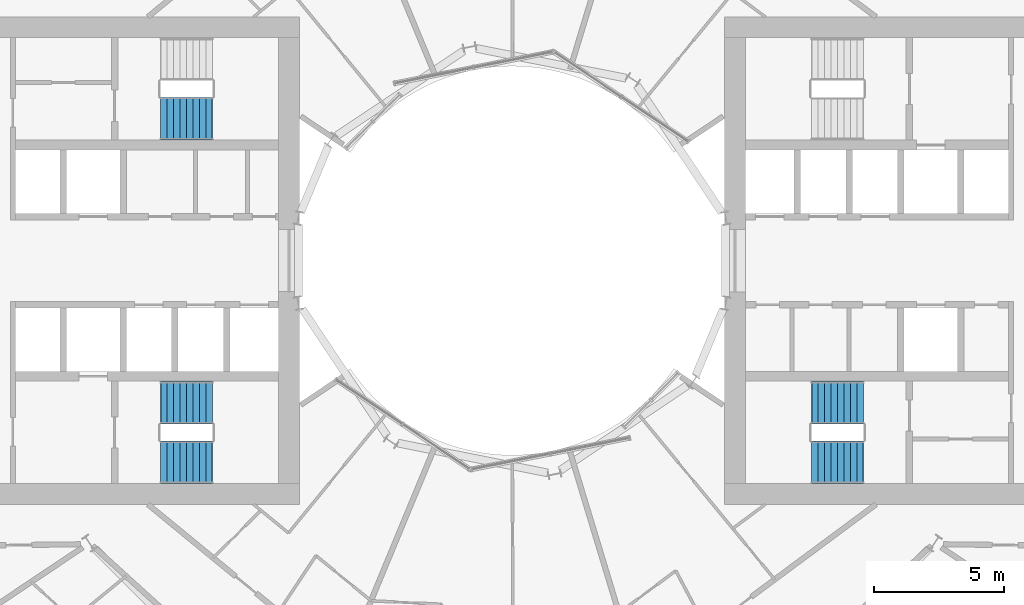
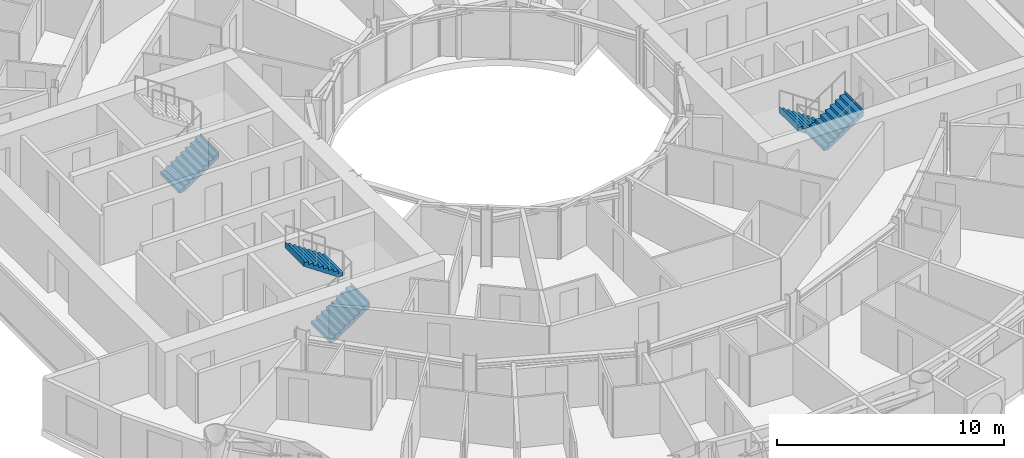
# One storey, part 23 of 25: 5 stair flights, 3 elements without a shape of their own.
"""IFC4 building model written with IfcOpenShell, lengths in metres."""

from ifc_helpers import new_model, si_unit, direction, frame, origin, place, context, subcontext, project, spatial, triangles, material, type_object, element, aggregate, save


model = new_model("IFC4")

# Units and contexts
model_context = context("Model", 3, precision=1e-05, world=origin(), true_north=direction((0.0, 1.0)))
body_context = subcontext(model_context, "Body", "Model", "MODEL_VIEW")
ifc_project = project(units=[si_unit("LENGTHUNIT", "METRE"), si_unit("AREAUNIT", "SQUARE_METRE"), si_unit("VOLUMEUNIT", "CUBIC_METRE"), si_unit("PLANEANGLEUNIT", "RADIAN"), si_unit("MASSUNIT", "GRAM", prefix="KILO")], contexts=[model_context])

# Site, building, storey
site_placement = place(None, origin())
site = spatial("IfcSite", under=ifc_project, at=site_placement, CompositionType="ELEMENT")
building_placement = place(site_placement, origin())
building = spatial("IfcBuilding", under=site, at=building_placement, Name="Maasbend Ring Residences", CompositionType="ELEMENT")
storey_placement = place(building_placement, frame((0.0, 0.0, 41.10009765625)))
storey = spatial("IfcBuildingStorey", under=building, at=storey_placement, Name="L11", CompositionType="ELEMENT", Elevation=41.10009765625)

# Stair, stair flights
ifc_material_1 = material(Name="Concrete C40/50", Category="concrete")
stair_type = type_object("IfcStairType", Name="CORE STAIR 18 RISERS", PredefinedType="HALF_TURN_STAIR", material=ifc_material_1)
stair_1_placement = place(storey_placement, origin())
stair_1 = element("IfcStair", 1, at=stair_1_placement, inside=storey, type_object=stair_type, Name="L11 Exit stair ST-E2", PredefinedType="HALF_TURN_STAIR")
ifc_material_2 = material(Name="Concrete C40/50", Category="concrete")
stair_flight_type = type_object("IfcStairFlightType", Name="CORE STAIR FLIGHT 1650", PredefinedType="STRAIGHT", material=ifc_material_2)
stair_flight_1_placement = place(storey_placement, frame((13.550048828125, -5.47509765625, 0.0), z_axis=(0.0, 0.0, 1.0), x_axis=(-1.0, 0.0, 0.0)))
stair_flight_1 = element("IfcStairFlight", 2, at=stair_flight_1_placement, type_object=stair_flight_type, Name="ST-E2 flight 1", NumberOfRisers=9, NumberOfTreads=8, PredefinedType="STRAIGHT", RiserHeight=0.169444444, TreadLength=0.25, context=body_context, shape_type="Tessellation", body=[
    triangles([(0.24072265625, 0.824951171875, -0.02001953125), (2.0029296875, 0.824951171875, 1.174560546875), (2.0029296875, 0.824951171875, 1.52490234375), (1.989990234375, 0.824951171875, 1.35546875), (1.75, 0.824951171875, 1.35546875), (1.75, 0.824951171875, 1.18603515625), (1.5, 0.824951171875, 1.18603515625), (1.5, 0.824951171875, 1.0166015625), (1.25, 0.824951171875, 1.0166015625), (1.25, 0.824951171875, 0.84716796875), (1.0, 0.824951171875, 0.84716796875), (1.0, 0.824951171875, 0.677734375), (0.75, 0.824951171875, 0.677734375), (0.75, 0.824951171875, 0.50830078125), (0.5, 0.824951171875, 0.50830078125), (0.5, 0.824951171875, 0.3388671875), (0.25, 0.824951171875, 0.3388671875), (0.25, 0.824951171875, 0.16943359375), (0.0, 0.824951171875, 0.16943359375), (0.0, 0.824951171875, 0.0), (-0.0029296875, 0.824951171875, 0.0), (-0.0029296875, 0.824951171875, -0.02001953125), (0.24072265625, 0.27490234375, -0.02001953125), (2.0029296875, 0.27490234375, 1.174560546875), (2.0029296875, 0.27490234375, 1.52490234375), (1.989990234375, 0.27490234375, 1.35546875), (1.75, 0.27490234375, 1.35546875), (1.75, 0.27490234375, 1.18603515625), (1.5, 0.27490234375, 1.18603515625), (1.5, 0.27490234375, 1.0166015625), (1.25, 0.27490234375, 1.0166015625), (1.25, 0.27490234375, 0.84716796875), (1.0, 0.27490234375, 0.84716796875), (1.0, 0.27490234375, 0.677734375), (0.75, 0.27490234375, 0.677734375), (0.75, 0.27490234375, 0.50830078125), (0.5, 0.27490234375, 0.50830078125), (0.5, 0.27490234375, 0.3388671875), (0.25, 0.27490234375, 0.3388671875), (0.25, 0.27490234375, 0.16943359375), (0.0, 0.27490234375, 0.16943359375), (0.0, 0.27490234375, 0.0), (-0.0029296875, 0.27490234375, 0.0), (-0.0029296875, 0.27490234375, -0.02001953125), (0.24072265625, -0.27490234375, -0.02001953125), (2.0029296875, -0.27490234375, 1.174560546875), (2.0029296875, -0.27490234375, 1.52490234375), (1.989990234375, -0.27490234375, 1.35546875), (1.75, -0.27490234375, 1.35546875), (1.75, -0.27490234375, 1.18603515625), (1.5, -0.27490234375, 1.18603515625), (1.5, -0.27490234375, 1.0166015625), (1.25, -0.27490234375, 1.0166015625), (1.25, -0.27490234375, 0.84716796875), (1.0, -0.27490234375, 0.84716796875), (1.0, -0.27490234375, 0.677734375), (0.75, -0.27490234375, 0.677734375), (0.75, -0.27490234375, 0.50830078125), (0.5, -0.27490234375, 0.50830078125), (0.5, -0.27490234375, 0.3388671875), (0.25, -0.27490234375, 0.3388671875), (0.25, -0.27490234375, 0.16943359375), (0.0, -0.27490234375, 0.16943359375), (0.0, -0.27490234375, 0.0), (-0.0029296875, -0.27490234375, 0.0), (-0.0029296875, -0.27490234375, -0.02001953125), (0.24072265625, -0.824951171875, -0.02001953125), (2.0029296875, -0.824951171875, 1.174560546875), (2.0029296875, -0.824951171875, 1.52490234375), (1.989990234375, -0.824951171875, 1.35546875), (1.75, -0.824951171875, 1.35546875), (1.75, -0.824951171875, 1.18603515625), (1.5, -0.824951171875, 1.18603515625), (1.5, -0.824951171875, 1.0166015625), (1.25, -0.824951171875, 1.0166015625), (1.25, -0.824951171875, 0.84716796875), (1.0, -0.824951171875, 0.84716796875), (1.0, -0.824951171875, 0.677734375), (0.75, -0.824951171875, 0.677734375), (0.75, -0.824951171875, 0.50830078125), (0.5, -0.824951171875, 0.50830078125), (0.5, -0.824951171875, 0.3388671875), (0.25, -0.824951171875, 0.3388671875), (0.25, -0.824951171875, 0.16943359375), (0.0, -0.824951171875, 0.16943359375), (0.0, -0.824951171875, 0.0), (-0.0029296875, -0.824951171875, 0.0), (-0.0029296875, -0.824951171875, -0.02001953125)], [[1, 2, 24], [1, 24, 23], [23, 24, 46], [23, 46, 45], [45, 46, 68], [45, 68, 67], [2, 3, 25], [2, 25, 24], [24, 25, 47], [24, 47, 46], [46, 47, 69], [46, 69, 68], [3, 4, 26], [3, 26, 25], [25, 26, 48], [25, 48, 47], [47, 48, 70], [47, 70, 69], [4, 5, 27], [4, 27, 26], [26, 27, 49], [26, 49, 48], [48, 49, 71], [48, 71, 70], [5, 6, 28], [5, 28, 27], [27, 28, 50], [27, 50, 49], [49, 50, 72], [49, 72, 71], [6, 7, 29], [6, 29, 28], [28, 29, 51], [28, 51, 50], [50, 51, 73], [50, 73, 72], [7, 8, 30], [7, 30, 29], [29, 30, 52], [29, 52, 51], [51, 52, 74], [51, 74, 73], [8, 9, 31], [8, 31, 30], [30, 31, 53], [30, 53, 52], [52, 53, 75], [52, 75, 74], [9, 10, 32], [9, 32, 31], [31, 32, 54], [31, 54, 53], [53, 54, 76], [53, 76, 75], [10, 11, 33], [10, 33, 32], [32, 33, 55], [32, 55, 54], [54, 55, 77], [54, 77, 76], [11, 12, 34], [11, 34, 33], [33, 34, 56], [33, 56, 55], [55, 56, 78], [55, 78, 77], [12, 13, 35], [12, 35, 34], [34, 35, 57], [34, 57, 56], [56, 57, 79], [56, 79, 78], [13, 14, 36], [13, 36, 35], [35, 36, 58], [35, 58, 57], [57, 58, 80], [57, 80, 79], [14, 15, 37], [14, 37, 36], [36, 37, 59], [36, 59, 58], [58, 59, 81], [58, 81, 80], [15, 16, 38], [15, 38, 37], [37, 38, 60], [37, 60, 59], [59, 60, 82], [59, 82, 81], [16, 17, 39], [16, 39, 38], [38, 39, 61], [38, 61, 60], [60, 61, 83], [60, 83, 82], [17, 18, 40], [17, 40, 39], [39, 40, 62], [39, 62, 61], [61, 62, 84], [61, 84, 83], [18, 19, 41], [18, 41, 40], [40, 41, 63], [40, 63, 62], [62, 63, 85], [62, 85, 84], [19, 20, 42], [19, 42, 41], [41, 42, 64], [41, 64, 63], [63, 64, 86], [63, 86, 85], [20, 21, 43], [20, 43, 42], [42, 43, 65], [42, 65, 64], [64, 65, 87], [64, 87, 86], [21, 22, 44], [21, 44, 43], [43, 44, 66], [43, 66, 65], [65, 66, 88], [65, 88, 87], [22, 1, 23], [22, 23, 44], [44, 23, 45], [44, 45, 66], [66, 45, 67], [66, 67, 88], [22, 2, 1], [2, 4, 3], [2, 5, 4], [2, 6, 5], [22, 6, 2], [6, 8, 7], [22, 8, 6], [8, 10, 9], [22, 10, 8], [10, 12, 11], [22, 12, 10], [12, 14, 13], [22, 14, 12], [14, 16, 15], [22, 16, 14], [16, 18, 17], [22, 18, 16], [18, 20, 19], [22, 20, 18], [20, 22, 21], [88, 67, 68], [68, 69, 70], [68, 70, 71], [68, 71, 72], [88, 68, 72], [72, 73, 74], [88, 72, 74], [74, 75, 76], [88, 74, 76], [76, 77, 78], [88, 76, 78], [78, 79, 80], [88, 78, 80], [80, 81, 82], [88, 80, 82], [82, 83, 84], [88, 82, 84], [84, 85, 86], [88, 84, 86], [86, 87, 88]], closed=True),
])
stair_flight_2_placement = place(storey_placement, frame((11.550048828125, -7.77490234375, 1.52490234375), z_axis=(0.0, 0.0, 1.0), x_axis=(1.0, 0.0, 0.0)))
stair_flight_2 = element("IfcStairFlight", 3, at=stair_flight_2_placement, type_object=stair_flight_type, Name="ST-E2 flight 2", NumberOfRisers=9, NumberOfTreads=8, PredefinedType="STRAIGHT", RiserHeight=0.169444444, TreadLength=0.25, context=body_context, shape_type="Tessellation", body=[
    triangles([(0.24072265625, 0.824951171875, -0.02001953125), (2.0029296875, 0.824951171875, 1.174560546875), (2.0029296875, 0.824951171875, 1.52490234375), (1.989990234375, 0.824951171875, 1.35546875), (1.75, 0.824951171875, 1.35546875), (1.75, 0.824951171875, 1.18603515625), (1.5, 0.824951171875, 1.18603515625), (1.5, 0.824951171875, 1.0166015625), (1.25, 0.824951171875, 1.0166015625), (1.25, 0.824951171875, 0.84716796875), (1.0, 0.824951171875, 0.84716796875), (1.0, 0.824951171875, 0.677734375), (0.75, 0.824951171875, 0.677734375), (0.75, 0.824951171875, 0.50830078125), (0.5, 0.824951171875, 0.50830078125), (0.5, 0.824951171875, 0.3388671875), (0.25, 0.824951171875, 0.3388671875), (0.25, 0.824951171875, 0.16943359375), (0.0, 0.824951171875, 0.16943359375), (0.0, 0.824951171875, 0.0), (-0.0029296875, 0.824951171875, 0.0), (-0.0029296875, 0.824951171875, -0.02001953125), (0.24072265625, 0.27490234375, -0.02001953125), (2.0029296875, 0.27490234375, 1.174560546875), (2.0029296875, 0.27490234375, 1.52490234375), (1.989990234375, 0.27490234375, 1.35546875), (1.75, 0.27490234375, 1.35546875), (1.75, 0.27490234375, 1.18603515625), (1.5, 0.27490234375, 1.18603515625), (1.5, 0.27490234375, 1.0166015625), (1.25, 0.27490234375, 1.0166015625), (1.25, 0.27490234375, 0.84716796875), (1.0, 0.27490234375, 0.84716796875), (1.0, 0.27490234375, 0.677734375), (0.75, 0.27490234375, 0.677734375), (0.75, 0.27490234375, 0.50830078125), (0.5, 0.27490234375, 0.50830078125), (0.5, 0.27490234375, 0.3388671875), (0.25, 0.27490234375, 0.3388671875), (0.25, 0.27490234375, 0.16943359375), (0.0, 0.27490234375, 0.16943359375), (0.0, 0.27490234375, 0.0), (-0.0029296875, 0.27490234375, 0.0), (-0.0029296875, 0.27490234375, -0.02001953125), (0.24072265625, -0.27490234375, -0.02001953125), (2.0029296875, -0.27490234375, 1.174560546875), (2.0029296875, -0.27490234375, 1.52490234375), (1.989990234375, -0.27490234375, 1.35546875), (1.75, -0.27490234375, 1.35546875), (1.75, -0.27490234375, 1.18603515625), (1.5, -0.27490234375, 1.18603515625), (1.5, -0.27490234375, 1.0166015625), (1.25, -0.27490234375, 1.0166015625), (1.25, -0.27490234375, 0.84716796875), (1.0, -0.27490234375, 0.84716796875), (1.0, -0.27490234375, 0.677734375), (0.75, -0.27490234375, 0.677734375), (0.75, -0.27490234375, 0.50830078125), (0.5, -0.27490234375, 0.50830078125), (0.5, -0.27490234375, 0.3388671875), (0.25, -0.27490234375, 0.3388671875), (0.25, -0.27490234375, 0.16943359375), (0.0, -0.27490234375, 0.16943359375), (0.0, -0.27490234375, 0.0), (-0.0029296875, -0.27490234375, 0.0), (-0.0029296875, -0.27490234375, -0.02001953125), (0.24072265625, -0.824951171875, -0.02001953125), (2.0029296875, -0.824951171875, 1.174560546875), (2.0029296875, -0.824951171875, 1.52490234375), (1.989990234375, -0.824951171875, 1.35546875), (1.75, -0.824951171875, 1.35546875), (1.75, -0.824951171875, 1.18603515625), (1.5, -0.824951171875, 1.18603515625), (1.5, -0.824951171875, 1.0166015625), (1.25, -0.824951171875, 1.0166015625), (1.25, -0.824951171875, 0.84716796875), (1.0, -0.824951171875, 0.84716796875), (1.0, -0.824951171875, 0.677734375), (0.75, -0.824951171875, 0.677734375), (0.75, -0.824951171875, 0.50830078125), (0.5, -0.824951171875, 0.50830078125), (0.5, -0.824951171875, 0.3388671875), (0.25, -0.824951171875, 0.3388671875), (0.25, -0.824951171875, 0.16943359375), (0.0, -0.824951171875, 0.16943359375), (0.0, -0.824951171875, 0.0), (-0.0029296875, -0.824951171875, 0.0), (-0.0029296875, -0.824951171875, -0.02001953125)], [[1, 2, 24], [1, 24, 23], [23, 24, 46], [23, 46, 45], [45, 46, 68], [45, 68, 67], [2, 3, 25], [2, 25, 24], [24, 25, 47], [24, 47, 46], [46, 47, 69], [46, 69, 68], [3, 4, 26], [3, 26, 25], [25, 26, 48], [25, 48, 47], [47, 48, 70], [47, 70, 69], [4, 5, 27], [4, 27, 26], [26, 27, 49], [26, 49, 48], [48, 49, 71], [48, 71, 70], [5, 6, 28], [5, 28, 27], [27, 28, 50], [27, 50, 49], [49, 50, 72], [49, 72, 71], [6, 7, 29], [6, 29, 28], [28, 29, 51], [28, 51, 50], [50, 51, 73], [50, 73, 72], [7, 8, 30], [7, 30, 29], [29, 30, 52], [29, 52, 51], [51, 52, 74], [51, 74, 73], [8, 9, 31], [8, 31, 30], [30, 31, 53], [30, 53, 52], [52, 53, 75], [52, 75, 74], [9, 10, 32], [9, 32, 31], [31, 32, 54], [31, 54, 53], [53, 54, 76], [53, 76, 75], [10, 11, 33], [10, 33, 32], [32, 33, 55], [32, 55, 54], [54, 55, 77], [54, 77, 76], [11, 12, 34], [11, 34, 33], [33, 34, 56], [33, 56, 55], [55, 56, 78], [55, 78, 77], [12, 13, 35], [12, 35, 34], [34, 35, 57], [34, 57, 56], [56, 57, 79], [56, 79, 78], [13, 14, 36], [13, 36, 35], [35, 36, 58], [35, 58, 57], [57, 58, 80], [57, 80, 79], [14, 15, 37], [14, 37, 36], [36, 37, 59], [36, 59, 58], [58, 59, 81], [58, 81, 80], [15, 16, 38], [15, 38, 37], [37, 38, 60], [37, 60, 59], [59, 60, 82], [59, 82, 81], [16, 17, 39], [16, 39, 38], [38, 39, 61], [38, 61, 60], [60, 61, 83], [60, 83, 82], [17, 18, 40], [17, 40, 39], [39, 40, 62], [39, 62, 61], [61, 62, 84], [61, 84, 83], [18, 19, 41], [18, 41, 40], [40, 41, 63], [40, 63, 62], [62, 63, 85], [62, 85, 84], [19, 20, 42], [19, 42, 41], [41, 42, 64], [41, 64, 63], [63, 64, 86], [63, 86, 85], [20, 21, 43], [20, 43, 42], [42, 43, 65], [42, 65, 64], [64, 65, 87], [64, 87, 86], [21, 22, 44], [21, 44, 43], [43, 44, 66], [43, 66, 65], [65, 66, 88], [65, 88, 87], [22, 1, 23], [22, 23, 44], [44, 23, 45], [44, 45, 66], [66, 45, 67], [66, 67, 88], [22, 2, 1], [2, 4, 3], [2, 5, 4], [2, 6, 5], [22, 6, 2], [6, 8, 7], [22, 8, 6], [8, 10, 9], [22, 10, 8], [10, 12, 11], [22, 12, 10], [12, 14, 13], [22, 14, 12], [14, 16, 15], [22, 16, 14], [16, 18, 17], [22, 18, 16], [18, 20, 19], [22, 20, 18], [20, 22, 21], [88, 67, 68], [68, 69, 70], [68, 70, 71], [68, 71, 72], [88, 68, 72], [72, 73, 74], [88, 72, 74], [74, 75, 76], [88, 74, 76], [76, 77, 78], [88, 76, 78], [78, 79, 80], [88, 78, 80], [80, 81, 82], [88, 80, 82], [82, 83, 84], [88, 82, 84], [84, 85, 86], [88, 84, 86], [86, 87, 88]], closed=True),
])
aggregate(stair_1, [stair_flight_1, stair_flight_2])

stair_2_placement = place(storey_placement, origin())
stair_2 = element("IfcStair", 4, at=stair_2_placement, inside=storey, type_object=stair_type, Name="L11 Exit stair ST-W1", PredefinedType="HALF_TURN_STAIR")
stair_flight_3_placement = place(storey_placement, frame((-13.550048828125, -7.77490234375, 0.0), z_axis=(0.0, 0.0, 1.0), x_axis=(1.0, 0.0, 0.0)))
stair_flight_3 = element("IfcStairFlight", 5, at=stair_flight_3_placement, type_object=stair_flight_type, Name="ST-W1 flight 1", NumberOfRisers=9, NumberOfTreads=8, PredefinedType="STRAIGHT", RiserHeight=0.169444444, TreadLength=0.25, context=body_context, shape_type="Tessellation", body=[
    triangles([(0.24072265625, 0.824951171875, -0.02001953125), (2.0029296875, 0.824951171875, 1.174560546875), (2.0029296875, 0.824951171875, 1.52490234375), (1.989990234375, 0.824951171875, 1.35546875), (1.75, 0.824951171875, 1.35546875), (1.75, 0.824951171875, 1.18603515625), (1.5, 0.824951171875, 1.18603515625), (1.5, 0.824951171875, 1.0166015625), (1.25, 0.824951171875, 1.0166015625), (1.25, 0.824951171875, 0.84716796875), (1.0, 0.824951171875, 0.84716796875), (1.0, 0.824951171875, 0.677734375), (0.75, 0.824951171875, 0.677734375), (0.75, 0.824951171875, 0.50830078125), (0.5, 0.824951171875, 0.50830078125), (0.5, 0.824951171875, 0.3388671875), (0.25, 0.824951171875, 0.3388671875), (0.25, 0.824951171875, 0.16943359375), (0.0, 0.824951171875, 0.16943359375), (0.0, 0.824951171875, 0.0), (-0.0029296875, 0.824951171875, 0.0), (-0.0029296875, 0.824951171875, -0.02001953125), (0.24072265625, 0.27490234375, -0.02001953125), (2.0029296875, 0.27490234375, 1.174560546875), (2.0029296875, 0.27490234375, 1.52490234375), (1.989990234375, 0.27490234375, 1.35546875), (1.75, 0.27490234375, 1.35546875), (1.75, 0.27490234375, 1.18603515625), (1.5, 0.27490234375, 1.18603515625), (1.5, 0.27490234375, 1.0166015625), (1.25, 0.27490234375, 1.0166015625), (1.25, 0.27490234375, 0.84716796875), (1.0, 0.27490234375, 0.84716796875), (1.0, 0.27490234375, 0.677734375), (0.75, 0.27490234375, 0.677734375), (0.75, 0.27490234375, 0.50830078125), (0.5, 0.27490234375, 0.50830078125), (0.5, 0.27490234375, 0.3388671875), (0.25, 0.27490234375, 0.3388671875), (0.25, 0.27490234375, 0.16943359375), (0.0, 0.27490234375, 0.16943359375), (0.0, 0.27490234375, 0.0), (-0.0029296875, 0.27490234375, 0.0), (-0.0029296875, 0.27490234375, -0.02001953125), (0.24072265625, -0.27490234375, -0.02001953125), (2.0029296875, -0.27490234375, 1.174560546875), (2.0029296875, -0.27490234375, 1.52490234375), (1.989990234375, -0.27490234375, 1.35546875), (1.75, -0.27490234375, 1.35546875), (1.75, -0.27490234375, 1.18603515625), (1.5, -0.27490234375, 1.18603515625), (1.5, -0.27490234375, 1.0166015625), (1.25, -0.27490234375, 1.0166015625), (1.25, -0.27490234375, 0.84716796875), (1.0, -0.27490234375, 0.84716796875), (1.0, -0.27490234375, 0.677734375), (0.75, -0.27490234375, 0.677734375), (0.75, -0.27490234375, 0.50830078125), (0.5, -0.27490234375, 0.50830078125), (0.5, -0.27490234375, 0.3388671875), (0.25, -0.27490234375, 0.3388671875), (0.25, -0.27490234375, 0.16943359375), (0.0, -0.27490234375, 0.16943359375), (0.0, -0.27490234375, 0.0), (-0.0029296875, -0.27490234375, 0.0), (-0.0029296875, -0.27490234375, -0.02001953125), (0.24072265625, -0.824951171875, -0.02001953125), (2.0029296875, -0.824951171875, 1.174560546875), (2.0029296875, -0.824951171875, 1.52490234375), (1.989990234375, -0.824951171875, 1.35546875), (1.75, -0.824951171875, 1.35546875), (1.75, -0.824951171875, 1.18603515625), (1.5, -0.824951171875, 1.18603515625), (1.5, -0.824951171875, 1.0166015625), (1.25, -0.824951171875, 1.0166015625), (1.25, -0.824951171875, 0.84716796875), (1.0, -0.824951171875, 0.84716796875), (1.0, -0.824951171875, 0.677734375), (0.75, -0.824951171875, 0.677734375), (0.75, -0.824951171875, 0.50830078125), (0.5, -0.824951171875, 0.50830078125), (0.5, -0.824951171875, 0.3388671875), (0.25, -0.824951171875, 0.3388671875), (0.25, -0.824951171875, 0.16943359375), (0.0, -0.824951171875, 0.16943359375), (0.0, -0.824951171875, 0.0), (-0.0029296875, -0.824951171875, 0.0), (-0.0029296875, -0.824951171875, -0.02001953125)], [[1, 2, 24], [1, 24, 23], [23, 24, 46], [23, 46, 45], [45, 46, 68], [45, 68, 67], [2, 3, 25], [2, 25, 24], [24, 25, 47], [24, 47, 46], [46, 47, 69], [46, 69, 68], [3, 4, 26], [3, 26, 25], [25, 26, 48], [25, 48, 47], [47, 48, 70], [47, 70, 69], [4, 5, 27], [4, 27, 26], [26, 27, 49], [26, 49, 48], [48, 49, 71], [48, 71, 70], [5, 6, 28], [5, 28, 27], [27, 28, 50], [27, 50, 49], [49, 50, 72], [49, 72, 71], [6, 7, 29], [6, 29, 28], [28, 29, 51], [28, 51, 50], [50, 51, 73], [50, 73, 72], [7, 8, 30], [7, 30, 29], [29, 30, 52], [29, 52, 51], [51, 52, 74], [51, 74, 73], [8, 9, 31], [8, 31, 30], [30, 31, 53], [30, 53, 52], [52, 53, 75], [52, 75, 74], [9, 10, 32], [9, 32, 31], [31, 32, 54], [31, 54, 53], [53, 54, 76], [53, 76, 75], [10, 11, 33], [10, 33, 32], [32, 33, 55], [32, 55, 54], [54, 55, 77], [54, 77, 76], [11, 12, 34], [11, 34, 33], [33, 34, 56], [33, 56, 55], [55, 56, 78], [55, 78, 77], [12, 13, 35], [12, 35, 34], [34, 35, 57], [34, 57, 56], [56, 57, 79], [56, 79, 78], [13, 14, 36], [13, 36, 35], [35, 36, 58], [35, 58, 57], [57, 58, 80], [57, 80, 79], [14, 15, 37], [14, 37, 36], [36, 37, 59], [36, 59, 58], [58, 59, 81], [58, 81, 80], [15, 16, 38], [15, 38, 37], [37, 38, 60], [37, 60, 59], [59, 60, 82], [59, 82, 81], [16, 17, 39], [16, 39, 38], [38, 39, 61], [38, 61, 60], [60, 61, 83], [60, 83, 82], [17, 18, 40], [17, 40, 39], [39, 40, 62], [39, 62, 61], [61, 62, 84], [61, 84, 83], [18, 19, 41], [18, 41, 40], [40, 41, 63], [40, 63, 62], [62, 63, 85], [62, 85, 84], [19, 20, 42], [19, 42, 41], [41, 42, 64], [41, 64, 63], [63, 64, 86], [63, 86, 85], [20, 21, 43], [20, 43, 42], [42, 43, 65], [42, 65, 64], [64, 65, 87], [64, 87, 86], [21, 22, 44], [21, 44, 43], [43, 44, 66], [43, 66, 65], [65, 66, 88], [65, 88, 87], [22, 1, 23], [22, 23, 44], [44, 23, 45], [44, 45, 66], [66, 45, 67], [66, 67, 88], [22, 2, 1], [2, 4, 3], [2, 5, 4], [2, 6, 5], [22, 6, 2], [6, 8, 7], [22, 8, 6], [8, 10, 9], [22, 10, 8], [10, 12, 11], [22, 12, 10], [12, 14, 13], [22, 14, 12], [14, 16, 15], [22, 16, 14], [16, 18, 17], [22, 18, 16], [18, 20, 19], [22, 20, 18], [20, 22, 21], [88, 67, 68], [68, 69, 70], [68, 70, 71], [68, 71, 72], [88, 68, 72], [72, 73, 74], [88, 72, 74], [74, 75, 76], [88, 74, 76], [76, 77, 78], [88, 76, 78], [78, 79, 80], [88, 78, 80], [80, 81, 82], [88, 80, 82], [82, 83, 84], [88, 82, 84], [84, 85, 86], [88, 84, 86], [86, 87, 88]], closed=True),
])
stair_flight_4_placement = place(storey_placement, frame((-11.550048828125, -5.47509765625, 1.52490234375), z_axis=(0.0, 0.0, 1.0), x_axis=(-1.0, 0.0, 0.0)))
stair_flight_4 = element("IfcStairFlight", 6, at=stair_flight_4_placement, type_object=stair_flight_type, Name="ST-W1 flight 2", NumberOfRisers=9, NumberOfTreads=8, PredefinedType="STRAIGHT", RiserHeight=0.169444444, TreadLength=0.25, context=body_context, shape_type="Tessellation", body=[
    triangles([(0.24072265625, 0.824951171875, -0.02001953125), (2.0029296875, 0.824951171875, 1.174560546875), (2.0029296875, 0.824951171875, 1.52490234375), (1.989990234375, 0.824951171875, 1.35546875), (1.75, 0.824951171875, 1.35546875), (1.75, 0.824951171875, 1.18603515625), (1.5, 0.824951171875, 1.18603515625), (1.5, 0.824951171875, 1.0166015625), (1.25, 0.824951171875, 1.0166015625), (1.25, 0.824951171875, 0.84716796875), (1.0, 0.824951171875, 0.84716796875), (1.0, 0.824951171875, 0.677734375), (0.75, 0.824951171875, 0.677734375), (0.75, 0.824951171875, 0.50830078125), (0.5, 0.824951171875, 0.50830078125), (0.5, 0.824951171875, 0.3388671875), (0.25, 0.824951171875, 0.3388671875), (0.25, 0.824951171875, 0.16943359375), (0.0, 0.824951171875, 0.16943359375), (0.0, 0.824951171875, 0.0), (-0.0029296875, 0.824951171875, 0.0), (-0.0029296875, 0.824951171875, -0.02001953125), (0.24072265625, 0.27490234375, -0.02001953125), (2.0029296875, 0.27490234375, 1.174560546875), (2.0029296875, 0.27490234375, 1.52490234375), (1.989990234375, 0.27490234375, 1.35546875), (1.75, 0.27490234375, 1.35546875), (1.75, 0.27490234375, 1.18603515625), (1.5, 0.27490234375, 1.18603515625), (1.5, 0.27490234375, 1.0166015625), (1.25, 0.27490234375, 1.0166015625), (1.25, 0.27490234375, 0.84716796875), (1.0, 0.27490234375, 0.84716796875), (1.0, 0.27490234375, 0.677734375), (0.75, 0.27490234375, 0.677734375), (0.75, 0.27490234375, 0.50830078125), (0.5, 0.27490234375, 0.50830078125), (0.5, 0.27490234375, 0.3388671875), (0.25, 0.27490234375, 0.3388671875), (0.25, 0.27490234375, 0.16943359375), (0.0, 0.27490234375, 0.16943359375), (0.0, 0.27490234375, 0.0), (-0.0029296875, 0.27490234375, 0.0), (-0.0029296875, 0.27490234375, -0.02001953125), (0.24072265625, -0.27490234375, -0.02001953125), (2.0029296875, -0.27490234375, 1.174560546875), (2.0029296875, -0.27490234375, 1.52490234375), (1.989990234375, -0.27490234375, 1.35546875), (1.75, -0.27490234375, 1.35546875), (1.75, -0.27490234375, 1.18603515625), (1.5, -0.27490234375, 1.18603515625), (1.5, -0.27490234375, 1.0166015625), (1.25, -0.27490234375, 1.0166015625), (1.25, -0.27490234375, 0.84716796875), (1.0, -0.27490234375, 0.84716796875), (1.0, -0.27490234375, 0.677734375), (0.75, -0.27490234375, 0.677734375), (0.75, -0.27490234375, 0.50830078125), (0.5, -0.27490234375, 0.50830078125), (0.5, -0.27490234375, 0.3388671875), (0.25, -0.27490234375, 0.3388671875), (0.25, -0.27490234375, 0.16943359375), (0.0, -0.27490234375, 0.16943359375), (0.0, -0.27490234375, 0.0), (-0.0029296875, -0.27490234375, 0.0), (-0.0029296875, -0.27490234375, -0.02001953125), (0.24072265625, -0.824951171875, -0.02001953125), (2.0029296875, -0.824951171875, 1.174560546875), (2.0029296875, -0.824951171875, 1.52490234375), (1.989990234375, -0.824951171875, 1.35546875), (1.75, -0.824951171875, 1.35546875), (1.75, -0.824951171875, 1.18603515625), (1.5, -0.824951171875, 1.18603515625), (1.5, -0.824951171875, 1.0166015625), (1.25, -0.824951171875, 1.0166015625), (1.25, -0.824951171875, 0.84716796875), (1.0, -0.824951171875, 0.84716796875), (1.0, -0.824951171875, 0.677734375), (0.75, -0.824951171875, 0.677734375), (0.75, -0.824951171875, 0.50830078125), (0.5, -0.824951171875, 0.50830078125), (0.5, -0.824951171875, 0.3388671875), (0.25, -0.824951171875, 0.3388671875), (0.25, -0.824951171875, 0.16943359375), (0.0, -0.824951171875, 0.16943359375), (0.0, -0.824951171875, 0.0), (-0.0029296875, -0.824951171875, 0.0), (-0.0029296875, -0.824951171875, -0.02001953125)], [[1, 2, 24], [1, 24, 23], [23, 24, 46], [23, 46, 45], [45, 46, 68], [45, 68, 67], [2, 3, 25], [2, 25, 24], [24, 25, 47], [24, 47, 46], [46, 47, 69], [46, 69, 68], [3, 4, 26], [3, 26, 25], [25, 26, 48], [25, 48, 47], [47, 48, 70], [47, 70, 69], [4, 5, 27], [4, 27, 26], [26, 27, 49], [26, 49, 48], [48, 49, 71], [48, 71, 70], [5, 6, 28], [5, 28, 27], [27, 28, 50], [27, 50, 49], [49, 50, 72], [49, 72, 71], [6, 7, 29], [6, 29, 28], [28, 29, 51], [28, 51, 50], [50, 51, 73], [50, 73, 72], [7, 8, 30], [7, 30, 29], [29, 30, 52], [29, 52, 51], [51, 52, 74], [51, 74, 73], [8, 9, 31], [8, 31, 30], [30, 31, 53], [30, 53, 52], [52, 53, 75], [52, 75, 74], [9, 10, 32], [9, 32, 31], [31, 32, 54], [31, 54, 53], [53, 54, 76], [53, 76, 75], [10, 11, 33], [10, 33, 32], [32, 33, 55], [32, 55, 54], [54, 55, 77], [54, 77, 76], [11, 12, 34], [11, 34, 33], [33, 34, 56], [33, 56, 55], [55, 56, 78], [55, 78, 77], [12, 13, 35], [12, 35, 34], [34, 35, 57], [34, 57, 56], [56, 57, 79], [56, 79, 78], [13, 14, 36], [13, 36, 35], [35, 36, 58], [35, 58, 57], [57, 58, 80], [57, 80, 79], [14, 15, 37], [14, 37, 36], [36, 37, 59], [36, 59, 58], [58, 59, 81], [58, 81, 80], [15, 16, 38], [15, 38, 37], [37, 38, 60], [37, 60, 59], [59, 60, 82], [59, 82, 81], [16, 17, 39], [16, 39, 38], [38, 39, 61], [38, 61, 60], [60, 61, 83], [60, 83, 82], [17, 18, 40], [17, 40, 39], [39, 40, 62], [39, 62, 61], [61, 62, 84], [61, 84, 83], [18, 19, 41], [18, 41, 40], [40, 41, 63], [40, 63, 62], [62, 63, 85], [62, 85, 84], [19, 20, 42], [19, 42, 41], [41, 42, 64], [41, 64, 63], [63, 64, 86], [63, 86, 85], [20, 21, 43], [20, 43, 42], [42, 43, 65], [42, 65, 64], [64, 65, 87], [64, 87, 86], [21, 22, 44], [21, 44, 43], [43, 44, 66], [43, 66, 65], [65, 66, 88], [65, 88, 87], [22, 1, 23], [22, 23, 44], [44, 23, 45], [44, 45, 66], [66, 45, 67], [66, 67, 88], [22, 2, 1], [2, 4, 3], [2, 5, 4], [2, 6, 5], [22, 6, 2], [6, 8, 7], [22, 8, 6], [8, 10, 9], [22, 10, 8], [10, 12, 11], [22, 12, 10], [12, 14, 13], [22, 14, 12], [14, 16, 15], [22, 16, 14], [16, 18, 17], [22, 18, 16], [18, 20, 19], [22, 20, 18], [20, 22, 21], [88, 67, 68], [68, 69, 70], [68, 70, 71], [68, 71, 72], [88, 68, 72], [72, 73, 74], [88, 72, 74], [74, 75, 76], [88, 74, 76], [76, 77, 78], [88, 76, 78], [78, 79, 80], [88, 78, 80], [80, 81, 82], [88, 80, 82], [82, 83, 84], [88, 82, 84], [84, 85, 86], [88, 84, 86], [86, 87, 88]], closed=True),
])
aggregate(stair_2, [stair_flight_3, stair_flight_4])

# Stair, stair flight
stair_3_placement = place(storey_placement, origin())
stair_3 = element("IfcStair", 7, at=stair_3_placement, inside=storey, type_object=stair_type, Name="L11 Exit stair ST-W2", PredefinedType="HALF_TURN_STAIR")
stair_flight_5_placement = place(storey_placement, frame((-13.550048828125, 5.47509765625, 0.0), z_axis=(0.0, 0.0, 1.0), x_axis=(1.0, 0.0, 0.0)))
stair_flight_5 = element("IfcStairFlight", 8, at=stair_flight_5_placement, type_object=stair_flight_type, Name="ST-W2 flight 1", NumberOfRisers=9, NumberOfTreads=8, PredefinedType="STRAIGHT", RiserHeight=0.169444444, TreadLength=0.25, context=body_context, shape_type="Tessellation", body=[
    triangles([(0.24072265625, 0.824951171875, -0.02001953125), (2.0029296875, 0.824951171875, 1.174560546875), (2.0029296875, 0.824951171875, 1.52490234375), (1.989990234375, 0.824951171875, 1.35546875), (1.75, 0.824951171875, 1.35546875), (1.75, 0.824951171875, 1.18603515625), (1.5, 0.824951171875, 1.18603515625), (1.5, 0.824951171875, 1.0166015625), (1.25, 0.824951171875, 1.0166015625), (1.25, 0.824951171875, 0.84716796875), (1.0, 0.824951171875, 0.84716796875), (1.0, 0.824951171875, 0.677734375), (0.75, 0.824951171875, 0.677734375), (0.75, 0.824951171875, 0.50830078125), (0.5, 0.824951171875, 0.50830078125), (0.5, 0.824951171875, 0.3388671875), (0.25, 0.824951171875, 0.3388671875), (0.25, 0.824951171875, 0.16943359375), (0.0, 0.824951171875, 0.16943359375), (0.0, 0.824951171875, 0.0), (-0.0029296875, 0.824951171875, 0.0), (-0.0029296875, 0.824951171875, -0.02001953125), (0.24072265625, 0.27490234375, -0.02001953125), (2.0029296875, 0.27490234375, 1.174560546875), (2.0029296875, 0.27490234375, 1.52490234375), (1.989990234375, 0.27490234375, 1.35546875), (1.75, 0.27490234375, 1.35546875), (1.75, 0.27490234375, 1.18603515625), (1.5, 0.27490234375, 1.18603515625), (1.5, 0.27490234375, 1.0166015625), (1.25, 0.27490234375, 1.0166015625), (1.25, 0.27490234375, 0.84716796875), (1.0, 0.27490234375, 0.84716796875), (1.0, 0.27490234375, 0.677734375), (0.75, 0.27490234375, 0.677734375), (0.75, 0.27490234375, 0.50830078125), (0.5, 0.27490234375, 0.50830078125), (0.5, 0.27490234375, 0.3388671875), (0.25, 0.27490234375, 0.3388671875), (0.25, 0.27490234375, 0.16943359375), (0.0, 0.27490234375, 0.16943359375), (0.0, 0.27490234375, 0.0), (-0.0029296875, 0.27490234375, 0.0), (-0.0029296875, 0.27490234375, -0.02001953125), (0.24072265625, -0.27490234375, -0.02001953125), (2.0029296875, -0.27490234375, 1.174560546875), (2.0029296875, -0.27490234375, 1.52490234375), (1.989990234375, -0.27490234375, 1.35546875), (1.75, -0.27490234375, 1.35546875), (1.75, -0.27490234375, 1.18603515625), (1.5, -0.27490234375, 1.18603515625), (1.5, -0.27490234375, 1.0166015625), (1.25, -0.27490234375, 1.0166015625), (1.25, -0.27490234375, 0.84716796875), (1.0, -0.27490234375, 0.84716796875), (1.0, -0.27490234375, 0.677734375), (0.75, -0.27490234375, 0.677734375), (0.75, -0.27490234375, 0.50830078125), (0.5, -0.27490234375, 0.50830078125), (0.5, -0.27490234375, 0.3388671875), (0.25, -0.27490234375, 0.3388671875), (0.25, -0.27490234375, 0.16943359375), (0.0, -0.27490234375, 0.16943359375), (0.0, -0.27490234375, 0.0), (-0.0029296875, -0.27490234375, 0.0), (-0.0029296875, -0.27490234375, -0.02001953125), (0.24072265625, -0.824951171875, -0.02001953125), (2.0029296875, -0.824951171875, 1.174560546875), (2.0029296875, -0.824951171875, 1.52490234375), (1.989990234375, -0.824951171875, 1.35546875), (1.75, -0.824951171875, 1.35546875), (1.75, -0.824951171875, 1.18603515625), (1.5, -0.824951171875, 1.18603515625), (1.5, -0.824951171875, 1.0166015625), (1.25, -0.824951171875, 1.0166015625), (1.25, -0.824951171875, 0.84716796875), (1.0, -0.824951171875, 0.84716796875), (1.0, -0.824951171875, 0.677734375), (0.75, -0.824951171875, 0.677734375), (0.75, -0.824951171875, 0.50830078125), (0.5, -0.824951171875, 0.50830078125), (0.5, -0.824951171875, 0.3388671875), (0.25, -0.824951171875, 0.3388671875), (0.25, -0.824951171875, 0.16943359375), (0.0, -0.824951171875, 0.16943359375), (0.0, -0.824951171875, 0.0), (-0.0029296875, -0.824951171875, 0.0), (-0.0029296875, -0.824951171875, -0.02001953125)], [[1, 2, 24], [1, 24, 23], [23, 24, 46], [23, 46, 45], [45, 46, 68], [45, 68, 67], [2, 3, 25], [2, 25, 24], [24, 25, 47], [24, 47, 46], [46, 47, 69], [46, 69, 68], [3, 4, 26], [3, 26, 25], [25, 26, 48], [25, 48, 47], [47, 48, 70], [47, 70, 69], [4, 5, 27], [4, 27, 26], [26, 27, 49], [26, 49, 48], [48, 49, 71], [48, 71, 70], [5, 6, 28], [5, 28, 27], [27, 28, 50], [27, 50, 49], [49, 50, 72], [49, 72, 71], [6, 7, 29], [6, 29, 28], [28, 29, 51], [28, 51, 50], [50, 51, 73], [50, 73, 72], [7, 8, 30], [7, 30, 29], [29, 30, 52], [29, 52, 51], [51, 52, 74], [51, 74, 73], [8, 9, 31], [8, 31, 30], [30, 31, 53], [30, 53, 52], [52, 53, 75], [52, 75, 74], [9, 10, 32], [9, 32, 31], [31, 32, 54], [31, 54, 53], [53, 54, 76], [53, 76, 75], [10, 11, 33], [10, 33, 32], [32, 33, 55], [32, 55, 54], [54, 55, 77], [54, 77, 76], [11, 12, 34], [11, 34, 33], [33, 34, 56], [33, 56, 55], [55, 56, 78], [55, 78, 77], [12, 13, 35], [12, 35, 34], [34, 35, 57], [34, 57, 56], [56, 57, 79], [56, 79, 78], [13, 14, 36], [13, 36, 35], [35, 36, 58], [35, 58, 57], [57, 58, 80], [57, 80, 79], [14, 15, 37], [14, 37, 36], [36, 37, 59], [36, 59, 58], [58, 59, 81], [58, 81, 80], [15, 16, 38], [15, 38, 37], [37, 38, 60], [37, 60, 59], [59, 60, 82], [59, 82, 81], [16, 17, 39], [16, 39, 38], [38, 39, 61], [38, 61, 60], [60, 61, 83], [60, 83, 82], [17, 18, 40], [17, 40, 39], [39, 40, 62], [39, 62, 61], [61, 62, 84], [61, 84, 83], [18, 19, 41], [18, 41, 40], [40, 41, 63], [40, 63, 62], [62, 63, 85], [62, 85, 84], [19, 20, 42], [19, 42, 41], [41, 42, 64], [41, 64, 63], [63, 64, 86], [63, 86, 85], [20, 21, 43], [20, 43, 42], [42, 43, 65], [42, 65, 64], [64, 65, 87], [64, 87, 86], [21, 22, 44], [21, 44, 43], [43, 44, 66], [43, 66, 65], [65, 66, 88], [65, 88, 87], [22, 1, 23], [22, 23, 44], [44, 23, 45], [44, 45, 66], [66, 45, 67], [66, 67, 88], [22, 2, 1], [2, 4, 3], [2, 5, 4], [2, 6, 5], [22, 6, 2], [6, 8, 7], [22, 8, 6], [8, 10, 9], [22, 10, 8], [10, 12, 11], [22, 12, 10], [12, 14, 13], [22, 14, 12], [14, 16, 15], [22, 16, 14], [16, 18, 17], [22, 18, 16], [18, 20, 19], [22, 20, 18], [20, 22, 21], [88, 67, 68], [68, 69, 70], [68, 70, 71], [68, 71, 72], [88, 68, 72], [72, 73, 74], [88, 72, 74], [74, 75, 76], [88, 74, 76], [76, 77, 78], [88, 76, 78], [78, 79, 80], [88, 78, 80], [80, 81, 82], [88, 80, 82], [82, 83, 84], [88, 82, 84], [84, 85, 86], [88, 84, 86], [86, 87, 88]], closed=True),
])
aggregate(stair_3, [stair_flight_5])

save(model, "model.ifc")
